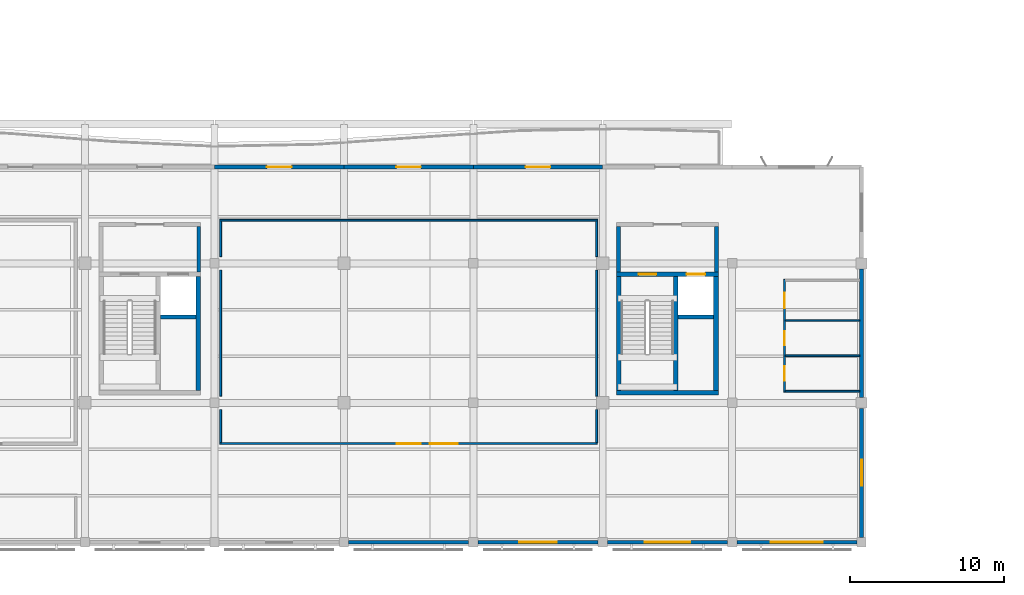
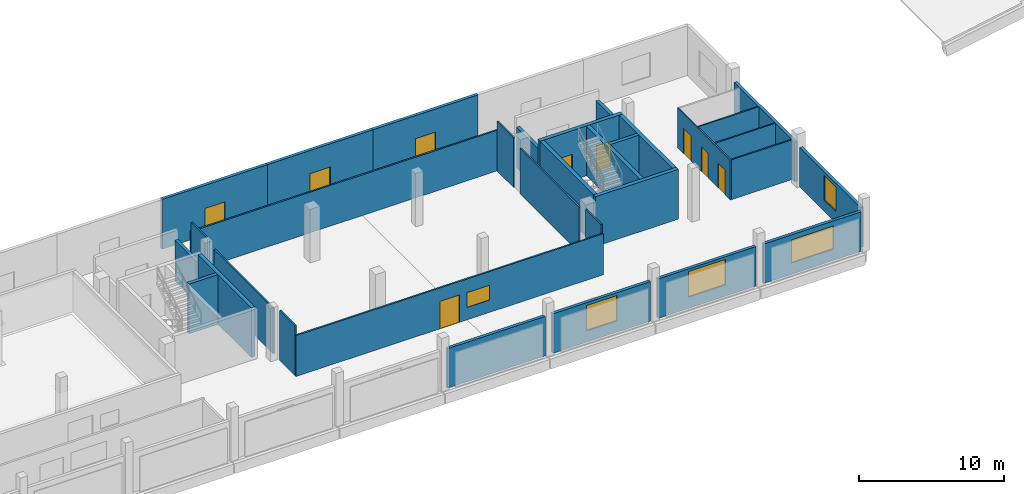
# One storey, part 15 of 34: 32 walls, 9 doors, 5 windows, 14 openings.
"""IFC4 building model written with IfcOpenShell, lengths in metres."""

from ifc_helpers import new_model, si_unit, direction, frame, frame_2d, origin, place, context, subcontext, project, spatial, rectangle, extrude, material, layer, layer_set, type_object, element, fill, save


model = new_model("IFC4")

# Units and contexts
model_context = context("Model", 3, precision=1e-05, world=origin(), true_north=direction((0.0, 1.0)))
body_context = subcontext(model_context, "Body", "Model", "MODEL_VIEW")
ifc_project = project(units=[si_unit("LENGTHUNIT", "METRE"), si_unit("AREAUNIT", "SQUARE_METRE"), si_unit("VOLUMEUNIT", "CUBIC_METRE"), si_unit("PLANEANGLEUNIT", "RADIAN"), si_unit("MASSUNIT", "GRAM", prefix="KILO")], contexts=[model_context])

# Site, building, storey
site_placement = place(None, origin())
site = spatial("IfcSite", under=ifc_project, at=site_placement, CompositionType="ELEMENT")
building_placement = place(site_placement, origin())
building = spatial("IfcBuilding", under=site, at=building_placement, Name="Khurvash Pelagic Aquarium", CompositionType="ELEMENT")
storey_placement = place(building_placement, frame((0.0, 0.0, 15.60009765625)))
storey = spatial("IfcBuildingStorey", under=building, at=storey_placement, Name="L03", CompositionType="ELEMENT", Elevation=15.60009765625)

# Wall
ifc_material_1 = material(Name="Glass-fibre reinforced concrete C40/50", Category="concrete")
ifc_layer_1 = layer(ifc_material_1, 0.239990234375)
ifc_layer_set_1 = layer_set([ifc_layer_1], Name="Glass-fibre reinforced concrete C40/50")
wall_type_1 = type_object("IfcWallType", Name="EW-240", PredefinedType="STANDARD", material=ifc_layer_set_1)
wall_1_placement = place(storey_placement, frame((75.905029296875, 2.60009765625, 0.0), z_axis=(0.0, 0.0, 1.0), x_axis=(1.0, 0.0, 0.0)))
element("IfcWall", 1, at=wall_1_placement, inside=storey, type_object=wall_type_1, Name="L03 Exterior Architectural Facade Wall EW-240 0113", PredefinedType="STANDARD", context=body_context, shape_type="SweptSolid", body=[
    extrude(rectangle(XDim=7.7900390625, YDim=0.239990234375, at=frame_2d((3.89501953125, 0.0))), origin(), (0.0, 0.0, 1.0), 3.329833984375),
])

# Wall, opening, window
wall_2_placement = place(storey_placement, frame((84.304931640625, 2.60009765625, 0.0), z_axis=(0.0, 0.0, 1.0), x_axis=(1.0, 0.0, 0.0)))
wall_2 = element("IfcWall", 2, at=wall_2_placement, inside=storey, type_object=wall_type_1, Name="L03 Exterior Architectural Facade Wall EW-240 0114", PredefinedType="STANDARD", context=body_context, shape_type="SweptSolid", body=[
    extrude(rectangle(XDim=7.7900390625, YDim=0.239990234375, at=frame_2d((3.89501953125, 0.0))), origin(), (0.0, 0.0, 1.0), 3.329833984375),
])
opening_1_placement = place(wall_2_placement, frame((2.6650390625, 0.0, 0.949951171875)))
opening_1 = element("IfcOpeningElement", 3, at=opening_1_placement, cuts=wall_2, Name="Opening WN-38", PredefinedType="OPENING", context=body_context, shape_type="SweptSolid", body=[
    extrude(rectangle(XDim=2.4599609375, YDim=2.139892578125, at=frame_2d((1.22998046875, 1.06982421875))), frame((0.0, 0.1298828125, 0.0), z_axis=(0.0, -1.0, 0.0), x_axis=(1.0, 0.0, 0.0)), (0.0, 0.0, 1.0), 0.260009765625),
])
ifc_material_2 = material(Name="Thermally broken aluminium and low-E glass", Category="aluminium")
window_type_1 = type_object("IfcWindowType", Name="WN-38", PartitioningType="SINGLE_PANEL", PredefinedType="WINDOW", material=ifc_material_2)
window_1_placement = place(opening_1_placement, origin())
window_1 = element("IfcWindow", 4, at=window_1_placement, inside=storey, type_object=window_type_1, Name="L03 Facade Window WN-38 0074", OverallHeight=2.139892578125, OverallWidth=2.4599609375, PartitioningType="SINGLE_PANEL", PredefinedType="WINDOW", context=body_context, shape_type="SweptSolid", body=[
    extrude(rectangle(XDim=2.4599609375, YDim=2.139892578125, at=frame_2d((1.22998046875, 1.06982421875))), frame((0.0, 0.030029296875, 0.0), z_axis=(0.0, -1.0, 0.0), x_axis=(1.0, 0.0, 0.0)), (0.0, 0.0, 1.0), 0.06005859375),
])
fill(opening_1, window_1)

wall_3_placement = place(storey_placement, frame((92.705078125, 2.60009765625, 0.0), z_axis=(0.0, 0.0, 1.0), x_axis=(1.0, 0.0, 0.0)))
wall_3 = element("IfcWall", 5, at=wall_3_placement, inside=storey, type_object=wall_type_1, Name="L03 Exterior Architectural Facade Wall EW-240 0115", PredefinedType="STANDARD", context=body_context, shape_type="SweptSolid", body=[
    extrude(rectangle(XDim=7.7900390625, YDim=0.239990234375, at=frame_2d((3.89501953125, 0.0))), origin(), (0.0, 0.0, 1.0), 3.329833984375),
])
opening_2_placement = place(wall_3_placement, frame((2.4150390625, 0.0, 0.949951171875)))
opening_2 = element("IfcOpeningElement", 6, at=opening_2_placement, cuts=wall_3, Name="Opening WN-40", PredefinedType="OPENING", context=body_context, shape_type="SweptSolid", body=[
    extrude(rectangle(XDim=2.9599609375, YDim=2.159912109375, at=frame_2d((1.47998046875, 1.080078125))), frame((0.0, 0.1298828125, 0.0), z_axis=(0.0, -1.0, 0.0), x_axis=(1.0, 0.0, 0.0)), (0.0, 0.0, 1.0), 0.260009765625),
])
window_type_2 = type_object("IfcWindowType", Name="WN-40", PartitioningType="SINGLE_PANEL", PredefinedType="WINDOW", material=ifc_material_2)
window_2_placement = place(opening_2_placement, origin())
window_2 = element("IfcWindow", 7, at=window_2_placement, inside=storey, type_object=window_type_2, Name="L03 Facade Window WN-40 0075", OverallHeight=2.159912109375, OverallWidth=2.9599609375, PartitioningType="SINGLE_PANEL", PredefinedType="WINDOW", context=body_context, shape_type="SweptSolid", body=[
    extrude(rectangle(XDim=2.9599609375, YDim=2.159912109375, at=frame_2d((1.47998046875, 1.080078125))), frame((0.0, 0.030029296875, 0.0), z_axis=(0.0, -1.0, 0.0), x_axis=(1.0, 0.0, 0.0)), (0.0, 0.0, 1.0), 0.06005859375),
])
fill(opening_2, window_2)

wall_4_placement = place(storey_placement, frame((101.10498046875, 2.60009765625, 0.0), z_axis=(0.0, 0.0, 1.0), x_axis=(1.0, 0.0, 0.0)))
wall_4 = element("IfcWall", 8, at=wall_4_placement, inside=storey, type_object=wall_type_1, Name="L03 Exterior Architectural Facade Wall EW-240 0116", PredefinedType="STANDARD", context=body_context, shape_type="SweptSolid", body=[
    extrude(rectangle(XDim=7.7900390625, YDim=0.239990234375, at=frame_2d((3.89501953125, 0.0))), origin(), (0.0, 0.0, 1.0), 3.329833984375),
])
opening_3_placement = place(wall_4_placement, frame((2.215087890625, 0.0, 0.949951171875)))
opening_3 = element("IfcOpeningElement", 9, at=opening_3_placement, cuts=wall_4, Name="Opening WN-42", PredefinedType="OPENING", context=body_context, shape_type="SweptSolid", body=[
    extrude(rectangle(XDim=3.360107421875, YDim=1.9599609375, at=frame_2d((1.68017578125, 0.97998046875))), frame((0.0, 0.1298828125, 0.0), z_axis=(0.0, -1.0, 0.0), x_axis=(1.0, 0.0, 0.0)), (0.0, 0.0, 1.0), 0.260009765625),
])
window_type_3 = type_object("IfcWindowType", Name="WN-42", PartitioningType="SINGLE_PANEL", PredefinedType="WINDOW", material=ifc_material_2)
window_3_placement = place(opening_3_placement, origin())
window_3 = element("IfcWindow", 10, at=window_3_placement, inside=storey, type_object=window_type_3, Name="L03 Facade Window WN-42 0076", OverallHeight=1.9599609375, OverallWidth=3.360107421875, PartitioningType="SINGLE_PANEL", PredefinedType="WINDOW", context=body_context, shape_type="SweptSolid", body=[
    extrude(rectangle(XDim=3.360107421875, YDim=1.9599609375, at=frame_2d((1.68017578125, 0.97998046875))), frame((0.0, 0.030029296875, 0.0), z_axis=(0.0, -1.0, 0.0), x_axis=(1.0, 0.0, 0.0)), (0.0, 0.0, 1.0), 0.06005859375),
])
fill(opening_3, window_3)

wall_5_placement = place(storey_placement, frame((109.199951171875, 2.905029296875, 0.0), z_axis=(0.0, 0.0, 1.0), x_axis=(0.0, 1.0, 0.0)))
wall_5 = element("IfcWall", 11, at=wall_5_placement, inside=storey, type_object=wall_type_1, Name="L03 Exterior Architectural Facade Wall EW-240 0117", PredefinedType="STANDARD", context=body_context, shape_type="SweptSolid", body=[
    extrude(rectangle(XDim=8.389892578125, YDim=0.239990234375, at=frame_2d((4.19482421875, 0.0))), origin(), (0.0, 0.0, 1.0), 3.349853515625),
])
opening_4_placement = place(wall_5_placement, frame((3.35498046875, 0.0, 0.949951171875)))
opening_4 = element("IfcOpeningElement", 12, at=opening_4_placement, cuts=wall_5, Name="Opening WN-34", PredefinedType="OPENING", context=body_context, shape_type="SweptSolid", body=[
    extrude(rectangle(XDim=1.679931640625, YDim=2.080078125, at=frame_2d((0.83984375, 1.0400390625))), frame((0.0, 0.1298828125, 0.0), z_axis=(0.0, -1.0, 0.0), x_axis=(1.0, 0.0, 0.0)), (0.0, 0.0, 1.0), 0.260009765625),
])
window_type_4 = type_object("IfcWindowType", Name="WN-34", PartitioningType="SINGLE_PANEL", PredefinedType="WINDOW", material=ifc_material_2)
window_4_placement = place(opening_4_placement, origin())
window_4 = element("IfcWindow", 13, at=window_4_placement, inside=storey, type_object=window_type_4, Name="L03 Facade Window WN-34 0077", OverallHeight=2.080078125, OverallWidth=1.679931640625, PartitioningType="SINGLE_PANEL", PredefinedType="WINDOW", context=body_context, shape_type="SweptSolid", body=[
    extrude(rectangle(XDim=1.679931640625, YDim=2.080078125, at=frame_2d((0.83984375, 1.0400390625))), frame((0.0, 0.030029296875, 0.0), z_axis=(0.0, -1.0, 0.0), x_axis=(1.0, 0.0, 0.0)), (0.0, 0.0, 1.0), 0.06005859375),
])
fill(opening_4, window_4)

# Wall
wall_6_placement = place(storey_placement, frame((109.199951171875, 12.0048828125, 0.0), z_axis=(0.0, 0.0, 1.0), x_axis=(0.0, 1.0, 0.0)))
element("IfcWall", 14, at=wall_6_placement, inside=storey, type_object=wall_type_1, Name="L03 Exterior Architectural Facade Wall EW-240 0118", PredefinedType="STANDARD", context=body_context, shape_type="SweptSolid", body=[
    extrude(rectangle(XDim=8.340087890625, YDim=0.239990234375, at=frame_2d((4.169921875, 0.0))), origin(), (0.0, 0.0, 1.0), 3.349853515625),
])

# Wall, opening, door
wall_7_placement = place(storey_placement, frame((92.39990234375, 26.949951171875, 0.0), z_axis=(0.0, 0.0, 1.0), x_axis=(-1.0, 0.0, 0.0)))
wall_7 = element("IfcWall", 15, at=wall_7_placement, inside=storey, type_object=wall_type_1, Name="L03 Exterior Architectural Facade Wall EW-240 0122", PredefinedType="STANDARD", context=body_context, shape_type="SweptSolid", body=[
    extrude(rectangle(XDim=8.39990234375, YDim=0.239990234375, at=frame_2d((4.199951171875, 0.0))), origin(), (0.0, 0.0, 1.0), 4.199951171875),
])
opening_5_placement = place(wall_7_placement, frame((3.39990234375, 0.0, 0.0)))
opening_5 = element("IfcOpeningElement", 16, at=opening_5_placement, cuts=wall_7, Name="Opening ED-03", PredefinedType="OPENING", context=body_context, shape_type="SweptSolid", body=[
    extrude(rectangle(XDim=1.60009765625, YDim=2.25, at=frame_2d((0.800048828125, 1.125))), frame((0.0, 0.1298828125, 0.0), z_axis=(0.0, -1.0, 0.0), x_axis=(1.0, 0.0, 0.0)), (0.0, 0.0, 1.0), 0.260009765625),
])
ifc_material_3 = material(Name="Thermally broken glazed aluminium", Category="aluminium")
door_type_1 = type_object("IfcDoorType", Name="ED-03", OperationType="DOUBLE_DOOR_SINGLE_SWING", PredefinedType="DOOR", material=ifc_material_3)
door_1_placement = place(opening_5_placement, frame((1.60009765625, 0.0, 0.0), z_axis=(0.0, 0.0, 1.0), x_axis=(-1.0, 0.0, 0.0)))
door_1 = element("IfcDoor", 17, at=door_1_placement, inside=storey, type_object=door_type_1, Name="DR-0185", OperationType="DOUBLE_DOOR_SINGLE_SWING", OverallHeight=2.25, OverallWidth=1.60009765625, PredefinedType="DOOR", context=body_context, shape_type="SweptSolid", body=[
    extrude(rectangle(XDim=1.60009765625, YDim=2.25, at=frame_2d((0.800048828125, 1.125))), frame((0.0, 0.02490234375, 0.0), z_axis=(0.0, -1.0, 0.0), x_axis=(1.0, 0.0, 0.0)), (0.0, 0.0, 1.0), 0.050048828125),
])
fill(opening_5, door_1)

wall_8_placement = place(storey_placement, frame((84.0, 26.949951171875, 0.0), z_axis=(0.0, 0.0, 1.0), x_axis=(-1.0, 0.0, 0.0)))
wall_8 = element("IfcWall", 18, at=wall_8_placement, inside=storey, type_object=wall_type_1, Name="L03 Exterior Architectural Facade Wall EW-240 0123", PredefinedType="STANDARD", context=body_context, shape_type="SweptSolid", body=[
    extrude(rectangle(XDim=8.39990234375, YDim=0.239990234375, at=frame_2d((4.199951171875, 0.0))), origin(), (0.0, 0.0, 1.0), 4.199951171875),
])
opening_6_placement = place(wall_8_placement, frame((3.39990234375, 0.0, 0.0)))
opening_6 = element("IfcOpeningElement", 19, at=opening_6_placement, cuts=wall_8, Name="Opening ED-03", PredefinedType="OPENING", context=body_context, shape_type="SweptSolid", body=[
    extrude(rectangle(XDim=1.60009765625, YDim=2.25, at=frame_2d((0.800048828125, 1.125))), frame((0.0, 0.1298828125, 0.0), z_axis=(0.0, -1.0, 0.0), x_axis=(1.0, 0.0, 0.0)), (0.0, 0.0, 1.0), 0.260009765625),
])
door_2_placement = place(opening_6_placement, frame((1.60009765625, 0.0, 0.0), z_axis=(0.0, 0.0, 1.0), x_axis=(-1.0, 0.0, 0.0)))
door_2 = element("IfcDoor", 20, at=door_2_placement, inside=storey, type_object=door_type_1, Name="DR-0186", OperationType="DOUBLE_DOOR_SINGLE_SWING", OverallHeight=2.25, OverallWidth=1.60009765625, PredefinedType="DOOR", context=body_context, shape_type="SweptSolid", body=[
    extrude(rectangle(XDim=1.60009765625, YDim=2.25, at=frame_2d((0.800048828125, 1.125))), frame((0.0, 0.02490234375, 0.0), z_axis=(0.0, -1.0, 0.0), x_axis=(1.0, 0.0, 0.0)), (0.0, 0.0, 1.0), 0.050048828125),
])
fill(opening_6, door_2)

wall_9_placement = place(storey_placement, frame((75.60009765625, 26.949951171875, 0.0), z_axis=(0.0, 0.0, 1.0), x_axis=(-1.0, 0.0, 0.0)))
wall_9 = element("IfcWall", 21, at=wall_9_placement, inside=storey, type_object=wall_type_1, Name="L03 Exterior Architectural Facade Wall EW-240 0124", PredefinedType="STANDARD", context=body_context, shape_type="SweptSolid", body=[
    extrude(rectangle(XDim=8.400146484375, YDim=0.239990234375, at=frame_2d((4.2001953125, 0.0))), origin(), (0.0, 0.0, 1.0), 4.199951171875),
])
opening_7_placement = place(wall_9_placement, frame((3.39990234375, 0.0, 0.0)))
opening_7 = element("IfcOpeningElement", 22, at=opening_7_placement, cuts=wall_9, Name="Opening ED-03", PredefinedType="OPENING", context=body_context, shape_type="SweptSolid", body=[
    extrude(rectangle(XDim=1.60009765625, YDim=2.25, at=frame_2d((0.800048828125, 1.125))), frame((0.0, 0.1298828125, 0.0), z_axis=(0.0, -1.0, 0.0), x_axis=(1.0, 0.0, 0.0)), (0.0, 0.0, 1.0), 0.260009765625),
])
door_3_placement = place(opening_7_placement, frame((1.60009765625, 0.0, 0.0), z_axis=(0.0, 0.0, 1.0), x_axis=(-1.0, 0.0, 0.0)))
door_3 = element("IfcDoor", 23, at=door_3_placement, inside=storey, type_object=door_type_1, Name="DR-0187", OperationType="DOUBLE_DOOR_SINGLE_SWING", OverallHeight=2.25, OverallWidth=1.60009765625, PredefinedType="DOOR", context=body_context, shape_type="SweptSolid", body=[
    extrude(rectangle(XDim=1.60009765625, YDim=2.25, at=frame_2d((0.800048828125, 1.125))), frame((0.0, 0.02490234375, 0.0), z_axis=(0.0, -1.0, 0.0), x_axis=(1.0, 0.0, 0.0)), (0.0, 0.0, 1.0), 0.050048828125),
])
fill(opening_7, door_3)

# Wall, openings, doors
ifc_material_4 = material(Name="Ceramic-tiled wet-room partition", Category="masonry")
ifc_layer_2 = layer(ifc_material_4, 0.110107421875)
ifc_layer_set_2 = layer_set([ifc_layer_2], Name="Ceramic-tiled wet-room partition")
wall_type_2 = type_object("IfcWallType", Name="PW-110", PredefinedType="PARTITIONING", material=ifc_layer_set_2)
wall_10_placement = place(storey_placement, frame((104.199951171875, 12.344970703125, 0.0), z_axis=(0.0, 0.0, 1.0), x_axis=(0.0, 1.0, 0.0)))
wall_10 = element("IfcWall", 24, at=wall_10_placement, inside=storey, type_object=wall_type_2, Name="L03 Restroom Bank Corridor Wall PW-110", PredefinedType="PARTITIONING", context=body_context, shape_type="SweptSolid", body=[
    extrude(rectangle(XDim=7.31005859375, YDim=0.110107421875, at=frame_2d((3.655029296875, 0.0))), origin(), (0.0, 0.0, 1.0), 3.349853515625),
])
opening_8_placement = place(wall_10_placement, frame((0.7451171875, 0.0, 0.0)))
opening_8 = element("IfcOpeningElement", 25, at=opening_8_placement, cuts=wall_10, Name="Opening ID-01", PredefinedType="OPENING", context=body_context, shape_type="SweptSolid", body=[
    extrude(rectangle(XDim=0.919921875, YDim=2.10009765625, at=frame_2d((0.4599609375, 1.050048828125))), frame((0.0, 0.06494140625, 0.0), z_axis=(0.0, -1.0, 0.0), x_axis=(1.0, 0.0, 0.0)), (0.0, 0.0, 1.0), 0.130126953125),
])
opening_9_placement = place(wall_10_placement, frame((3.044921875, 0.0, 0.0)))
opening_9 = element("IfcOpeningElement", 26, at=opening_9_placement, cuts=wall_10, Name="Opening ID-01", PredefinedType="OPENING", context=body_context, shape_type="SweptSolid", body=[
    extrude(rectangle(XDim=0.919921875, YDim=2.10009765625, at=frame_2d((0.4599609375, 1.050048828125))), frame((0.0, 0.06494140625, 0.0), z_axis=(0.0, -1.0, 0.0), x_axis=(1.0, 0.0, 0.0)), (0.0, 0.0, 1.0), 0.130126953125),
])
opening_10_placement = place(wall_10_placement, frame((5.455078125, 0.0, 0.0)))
opening_10 = element("IfcOpeningElement", 27, at=opening_10_placement, cuts=wall_10, Name="Opening ID-02", PredefinedType="OPENING", context=body_context, shape_type="SweptSolid", body=[
    extrude(rectangle(XDim=1.0, YDim=2.14990234375, at=frame_2d((0.5, 1.074951171875))), frame((0.0, 0.06494140625, 0.0), z_axis=(0.0, -1.0, 0.0), x_axis=(1.0, 0.0, 0.0)), (0.0, 0.0, 1.0), 0.130126953125),
])
ifc_material_5 = material(Name="High-pressure laminate solid-core timber", Category="wood")
door_type_2 = type_object("IfcDoorType", Name="ID-01", OperationType="NOTDEFINED", PredefinedType="DOOR", material=ifc_material_5)
door_4_placement = place(opening_8_placement, origin())
door_4 = element("IfcDoor", 28, at=door_4_placement, inside=storey, type_object=door_type_2, Name="DR-0195", OperationType="SINGLE_SWING_LEFT", OverallHeight=2.10009765625, OverallWidth=0.919921875, PredefinedType="DOOR", context=body_context, shape_type="SweptSolid", body=[
    extrude(rectangle(XDim=0.919921875, YDim=2.10009765625, at=frame_2d((0.4599609375, 1.050048828125))), frame((0.0, 0.02490234375, 0.0), z_axis=(0.0, -1.0, 0.0), x_axis=(1.0, 0.0, 0.0)), (0.0, 0.0, 1.0), 0.050048828125),
])
fill(opening_8, door_4)
door_5_placement = place(opening_9_placement, origin())
door_5 = element("IfcDoor", 29, at=door_5_placement, inside=storey, type_object=door_type_2, Name="DR-0196", OperationType="SINGLE_SWING_RIGHT", OverallHeight=2.10009765625, OverallWidth=0.919921875, PredefinedType="DOOR", context=body_context, shape_type="SweptSolid", body=[
    extrude(rectangle(XDim=0.919921875, YDim=2.10009765625, at=frame_2d((0.4599609375, 1.050048828125))), frame((0.0, 0.02490234375, 0.0), z_axis=(0.0, -1.0, 0.0), x_axis=(1.0, 0.0, 0.0)), (0.0, 0.0, 1.0), 0.050048828125),
])
fill(opening_9, door_5)
door_type_3 = type_object("IfcDoorType", Name="ID-02", OperationType="NOTDEFINED", PredefinedType="DOOR", material=ifc_material_5)
door_6_placement = place(opening_10_placement, origin())
door_6 = element("IfcDoor", 30, at=door_6_placement, inside=storey, type_object=door_type_3, Name="DR-0197", OperationType="SINGLE_SWING_LEFT", OverallHeight=2.14990234375, OverallWidth=1.0, PredefinedType="DOOR", context=body_context, shape_type="SweptSolid", body=[
    extrude(rectangle(XDim=1.0, YDim=2.14990234375, at=frame_2d((0.5, 1.074951171875))), frame((0.0, 0.02490234375, 0.0), z_axis=(0.0, -1.0, 0.0), x_axis=(1.0, 0.0, 0.0)), (0.0, 0.0, 1.0), 0.050048828125),
])
fill(opening_10, door_6)

# Walls
for number, where, z_axis, x_axis, name in (
    (31, (104.2548828125, 12.39990234375, 0.0), (0.0, 0.0, 1.0), (1.0, 0.0, 0.0), "L03 Restroom Divider Partition PW-110"),
    (32, (104.2548828125, 14.699951171875, 0.0), (0.0, 0.0, 1.0), (1.0, 0.0, 0.0), "L03 Restroom Divider Partition PW-110"),
    (33, (104.2548828125, 17.0, 0.0), (0.0, 0.0, 1.0), (1.0, 0.0, 0.0), "L03 Restroom Divider Partition PW-110"),
):
    element("IfcWall", number, at=place(storey_placement, frame(where, z_axis=z_axis, x_axis=x_axis)), inside=storey, type_object=wall_type_2, Name=name, PredefinedType="PARTITIONING", context=body_context, shape_type="SweptSolid", body=[
        extrude(rectangle(XDim=4.8251953125, YDim=0.110107421875, at=frame_2d((2.41259765625, 0.0))), origin(), (0.0, 0.0, 1.0), 3.349853515625),
    ])

# Wall, openings, door, window
ifc_material_6 = material(Name="Moisture-resistant gypsum and steel stud", Category="steel")
ifc_layer_3 = layer(ifc_material_6, 0.125)
ifc_layer_set_3 = layer_set([ifc_layer_3], Name="Moisture-resistant gypsum and steel stud")
wall_type_3 = type_object("IfcWallType", Name="PW-125", PredefinedType="PARTITIONING", material=ifc_layer_set_3)
wall_11_placement = place(storey_placement, frame((67.537109375, 9.0, 0.0), z_axis=(0.0, 0.0, 1.0), x_axis=(1.0, 0.0, 0.0)))
wall_11 = element("IfcWall", 34, at=wall_11_placement, inside=storey, type_object=wall_type_3, Name="L03 Bathypelagic Comb-Jelly Gallery Partition Wall PW-125", PredefinedType="PARTITIONING", context=body_context, shape_type="SweptSolid", body=[
    extrude(rectangle(XDim=24.52490234375, YDim=0.125, at=frame_2d((12.262451171875, 0.0))), origin(), (0.0, 0.0, 1.0), 3.449951171875),
])
opening_11_placement = place(wall_11_placement, frame((11.48193359375, 0.0, 0.0)))
opening_11 = element("IfcOpeningElement", 35, at=opening_11_placement, cuts=wall_11, Name="Opening ID-44", PredefinedType="OPENING", context=body_context, shape_type="SweptSolid", body=[
    extrude(rectangle(XDim=1.56005859375, YDim=2.320068359375, at=frame_2d((0.780029296875, 1.16015625))), frame((0.0, 0.072509765625, 0.0), z_axis=(0.0, -1.0, 0.0), x_axis=(1.0, 0.0, 0.0)), (0.0, 0.0, 1.0), 0.14501953125),
])
opening_12_placement = place(wall_11_placement, frame((13.64208984375, 0.0, 1.0498046875)))
opening_12 = element("IfcOpeningElement", 36, at=opening_12_placement, cuts=wall_11, Name="Opening IW-02", PredefinedType="OPENING", context=body_context, shape_type="SweptSolid", body=[
    extrude(rectangle(XDim=1.800048828125, YDim=1.25, at=frame_2d((0.89990234375, 0.625))), frame((0.0, 0.072509765625, 0.0), z_axis=(0.0, -1.0, 0.0), x_axis=(1.0, 0.0, 0.0)), (0.0, 0.0, 1.0), 0.14501953125),
])
ifc_material_7 = material(Name="Seminar foyer double door", Category="wood")
door_type_4 = type_object("IfcDoorType", Name="ID-44", OperationType="DOUBLE_DOOR_SINGLE_SWING", PredefinedType="DOOR", material=ifc_material_7)
door_7_placement = place(opening_11_placement, origin())
door_7 = element("IfcDoor", 37, at=door_7_placement, inside=storey, type_object=door_type_4, Name="DR-0200", OperationType="DOUBLE_DOOR_SINGLE_SWING", OverallHeight=2.320068359375, OverallWidth=1.56005859375, PredefinedType="DOOR", context=body_context, shape_type="SweptSolid", body=[
    extrude(rectangle(XDim=1.56005859375, YDim=2.320068359375, at=frame_2d((0.780029296875, 1.16015625))), frame((0.0, 0.02490234375, 0.0), z_axis=(0.0, -1.0, 0.0), x_axis=(1.0, 0.0, 0.0)), (0.0, 0.0, 1.0), 0.050048828125),
])
fill(opening_11, door_7)
ifc_material_8 = material(Name="Acoustic laminated interior observation glazing", Category="glass")
window_type_5 = type_object("IfcWindowType", Name="IW-02", PartitioningType="SINGLE_PANEL", PredefinedType="WINDOW", material=ifc_material_8)
window_5_placement = place(opening_12_placement, origin())
window_5 = element("IfcWindow", 38, at=window_5_placement, inside=storey, type_object=window_type_5, Name="L03 Bathypelagic Comb-Jelly Gallery Observation Window IW-02", OverallHeight=1.25, OverallWidth=1.800048828125, PartitioningType="SINGLE_PANEL", PredefinedType="WINDOW", context=body_context, shape_type="SweptSolid", body=[
    extrude(rectangle(XDim=1.800048828125, YDim=1.25, at=frame_2d((0.89990234375, 0.625))), frame((0.0, 0.030029296875, 0.0), z_axis=(0.0, -1.0, 0.0), x_axis=(1.0, 0.0, 0.0)), (0.0, 0.0, 1.0), 0.06005859375),
])
fill(opening_12, window_5)

# Walls
wall_12_placement = place(storey_placement, frame((67.537109375, 23.5, 0.0), z_axis=(0.0, 0.0, 1.0), x_axis=(1.0, 0.0, 0.0)))
element("IfcWall", 39, at=wall_12_placement, inside=storey, type_object=wall_type_3, Name="L03 Bathypelagic Comb-Jelly Gallery Partition Wall PW-125", PredefinedType="PARTITIONING", context=body_context, shape_type="SweptSolid", body=[
    extrude(rectangle(XDim=24.52490234375, YDim=0.125, at=frame_2d((12.262451171875, 0.0))), origin(), (0.0, 0.0, 1.0), 3.429931640625),
])
wall_13_placement = place(storey_placement, frame((92.0, 9.06201171875, 0.0), z_axis=(0.0, 0.0, 1.0), x_axis=(0.0, 1.0, 0.0)))
element("IfcWall", 40, at=wall_13_placement, inside=storey, type_object=wall_type_3, Name="L03 Bathypelagic Comb-Jelly Gallery Partition Wall PW-125", PredefinedType="PARTITIONING", context=body_context, shape_type="SweptSolid", body=[
    extrude(rectangle(XDim=2.14794921875, YDim=0.125, at=frame_2d((1.073974609375, 0.0))), origin(), (0.0, 0.0, 1.0), 4.199951171875),
])
wall_14_placement = place(storey_placement, frame((92.0, 12.090087890625, 0.0), z_axis=(0.0, 0.0, 1.0), x_axis=(0.0, 1.0, 0.0)))
element("IfcWall", 41, at=wall_14_placement, inside=storey, type_object=wall_type_3, Name="L03 Bathypelagic Comb-Jelly Gallery Partition Wall PW-125", PredefinedType="PARTITIONING", context=body_context, shape_type="SweptSolid", body=[
    extrude(rectangle(XDim=8.169921875, YDim=0.125, at=frame_2d((4.0849609375, 0.0))), origin(), (0.0, 0.0, 1.0), 3.83984375),
])
wall_15_placement = place(storey_placement, frame((92.0, 21.139892578125, 0.0), z_axis=(0.0, 0.0, 1.0), x_axis=(0.0, 1.0, 0.0)))
element("IfcWall", 42, at=wall_15_placement, inside=storey, type_object=wall_type_3, Name="L03 Bathypelagic Comb-Jelly Gallery Partition Wall PW-125", PredefinedType="PARTITIONING", context=body_context, shape_type="SweptSolid", body=[
    extrude(rectangle(XDim=2.298095703125, YDim=0.125, at=frame_2d((1.14892578125, 0.0))), origin(), (0.0, 0.0, 1.0), 4.199951171875),
])
wall_16_placement = place(storey_placement, frame((67.60009765625, 9.06201171875, 0.0), z_axis=(0.0, 0.0, 1.0), x_axis=(0.0, 1.0, 0.0)))
element("IfcWall", 43, at=wall_16_placement, inside=storey, type_object=wall_type_3, Name="L03 Bathypelagic Comb-Jelly Gallery Partition Wall PW-125", PredefinedType="PARTITIONING", context=body_context, shape_type="SweptSolid", body=[
    extrude(rectangle(XDim=2.14794921875, YDim=0.125, at=frame_2d((1.073974609375, 0.0))), origin(), (0.0, 0.0, 1.0), 4.199951171875),
])
wall_17_placement = place(storey_placement, frame((67.60009765625, 12.090087890625, 0.0), z_axis=(0.0, 0.0, 1.0), x_axis=(0.0, 1.0, 0.0)))
element("IfcWall", 44, at=wall_17_placement, inside=storey, type_object=wall_type_3, Name="L03 Bathypelagic Comb-Jelly Gallery Partition Wall PW-125", PredefinedType="PARTITIONING", context=body_context, shape_type="SweptSolid", body=[
    extrude(rectangle(XDim=8.169921875, YDim=0.125, at=frame_2d((4.0849609375, 0.0))), origin(), (0.0, 0.0, 1.0), 3.83984375),
])
wall_18_placement = place(storey_placement, frame((67.60009765625, 21.139892578125, 0.0), z_axis=(0.0, 0.0, 1.0), x_axis=(0.0, 1.0, 0.0)))
element("IfcWall", 45, at=wall_18_placement, inside=storey, type_object=wall_type_3, Name="L03 Bathypelagic Comb-Jelly Gallery Partition Wall PW-125", PredefinedType="PARTITIONING", context=body_context, shape_type="SweptSolid", body=[
    extrude(rectangle(XDim=2.298095703125, YDim=0.125, at=frame_2d((1.14892578125, 0.0))), origin(), (0.0, 0.0, 1.0), 4.199951171875),
])
ifc_material_9 = material(Name="AAC blockwork", Category="masonry")
ifc_layer_4 = layer(ifc_material_9, 0.25)
ifc_layer_set_4 = layer_set([ifc_layer_4], Name="AAC blockwork")
wall_type_4 = type_object("IfcWallType", Name="PW-250", PredefinedType="PARTITIONING", material=ifc_layer_set_4)
for number, where, z_axis, x_axis, name in (
    (46, (66.175048828125, 20.14990234375, 0.0), (0.0, 0.0, 1.0), (0.0, 1.0, 0.0), "L03 Core C2 Lobby East Fire Wall PW-250"),
    (47, (93.425048828125, 20.14990234375, 0.0), (0.0, 0.0, 1.0), (0.0, 1.0, 0.0), "L03 Core C3 Lobby West Fire Wall PW-250"),
    (48, (99.77490234375, 20.14990234375, 0.0), (0.0, 0.0, 1.0), (0.0, 1.0, 0.0), "L03 Core C3 Lobby East Fire Wall PW-250"),
):
    element("IfcWall", number, at=place(storey_placement, frame(where, z_axis=z_axis, x_axis=x_axis)), inside=storey, type_object=wall_type_4, Name=name, PredefinedType="PARTITIONING", context=body_context, shape_type="SweptSolid", body=[
        extrude(rectangle(XDim=2.9501953125, YDim=0.25, at=frame_2d((1.47509765625, 0.0))), origin(), (0.0, 0.0, 1.0), 3.429931640625),
    ])
ifc_material_10 = material(Name="Concrete C40/50", Category="concrete")
ifc_layer_5 = layer(ifc_material_10, 0.27490234375)
ifc_layer_set_5 = layer_set([ifc_layer_5], Name="Concrete C40/50")
wall_type_5 = type_object("IfcWallType", Name="SW-275", PredefinedType="SHEAR", material=ifc_layer_set_5)
for number, where, z_axis, x_axis, name in (
    (49, (63.699951171875, 17.212890625, 0.0), (0.0, 0.0, 1.0), (1.0, 0.0, 0.0), "L03 Lift PL-01 Shaft Rear Shear Wall SW-275"),
    (50, (97.300048828125, 17.212890625, 0.0), (0.0, 0.0, 1.0), (1.0, 0.0, 0.0), "L03 Lift FL-02 Shaft Rear Shear Wall SW-275"),
):
    element("IfcWall", number, at=place(storey_placement, frame(where, z_axis=z_axis, x_axis=x_axis)), inside=storey, type_object=wall_type_5, Name=name, PredefinedType="SHEAR", context=body_context, shape_type="SweptSolid", body=[
        extrude(rectangle(XDim=2.300048828125, YDim=0.27490234375, at=frame_2d((1.14990234375, 0.0))), origin(), (0.0, 0.0, 1.0), 4.199951171875),
    ])
ifc_layer_6 = layer(ifc_material_10, 0.300048828125)
ifc_layer_set_6 = layer_set([ifc_layer_6], Name="Concrete C40/50")
wall_type_6 = type_object("IfcWallType", Name="SW-300", PredefinedType="SHEAR", material=ifc_layer_set_6)
wall_19_placement = place(storey_placement, frame((66.14990234375, 12.449951171875, 0.0), z_axis=(0.0, 0.0, 1.0), x_axis=(0.0, 1.0, 0.0)))
element("IfcWall", 51, at=wall_19_placement, inside=storey, type_object=wall_type_6, Name="L03 Core C2 East Shear Wall SW-300", PredefinedType="SHEAR", context=body_context, shape_type="SweptSolid", body=[
    extrude(rectangle(XDim=7.400146484375, YDim=0.300048828125, at=frame_2d((3.7001953125, 0.0))), origin(), (0.0, 0.0, 1.0), 4.199951171875),
])
wall_20_placement = place(storey_placement, frame((93.300048828125, 12.300048828125, 0.0), z_axis=(0.0, 0.0, 1.0), x_axis=(1.0, 0.0, 0.0)))
element("IfcWall", 52, at=wall_20_placement, inside=storey, type_object=wall_type_6, Name="L03 Core C3 South Shear Wall SW-300", PredefinedType="SHEAR", context=body_context, shape_type="SweptSolid", body=[
    extrude(rectangle(XDim=6.599853515625, YDim=0.300048828125, at=frame_2d((3.2998046875, 0.0))), origin(), (0.0, 0.0, 1.0), 4.199951171875),
])

# Wall, openings, doors
wall_21_placement = place(storey_placement, frame((93.300048828125, 20.0, 0.0), z_axis=(0.0, 0.0, 1.0), x_axis=(1.0, 0.0, 0.0)))
wall_21 = element("IfcWall", 53, at=wall_21_placement, inside=storey, type_object=wall_type_6, Name="L03 Core C3 North Shear Wall SW-300", PredefinedType="SHEAR", context=body_context, shape_type="SweptSolid", body=[
    extrude(rectangle(XDim=6.599853515625, YDim=0.300048828125, at=frame_2d((3.2998046875, 0.0))), origin(), (0.0, 0.0, 1.0), 4.199951171875),
])
opening_13_placement = place(wall_21_placement, frame((1.425048828125, 0.0, 0.0)))
opening_13 = element("IfcOpeningElement", 54, at=opening_13_placement, cuts=wall_21, Name="Opening FD-01", PredefinedType="OPENING", context=body_context, shape_type="SweptSolid", body=[
    extrude(rectangle(XDim=1.14990234375, YDim=2.199951171875, at=frame_2d((0.574951171875, 1.10009765625))), frame((0.0, 0.16015625, 0.0), z_axis=(0.0, -1.0, 0.0), x_axis=(1.0, 0.0, 0.0)), (0.0, 0.0, 1.0), 0.320068359375),
])
opening_14_placement = place(wall_21_placement, frame((4.550048828125, 0.0, 0.0)))
opening_14 = element("IfcOpeningElement", 55, at=opening_14_placement, cuts=wall_21, Name="Opening LD-01", PredefinedType="OPENING", context=body_context, shape_type="SweptSolid", body=[
    extrude(rectangle(XDim=1.199951171875, YDim=2.14990234375, at=frame_2d((0.60009765625, 1.074951171875))), frame((0.0, 0.16015625, 0.0), z_axis=(0.0, -1.0, 0.0), x_axis=(1.0, 0.0, 0.0)), (0.0, 0.0, 1.0), 0.320068359375),
])
ifc_material_11 = material(Name="Galvanised steel fire door", Category="steel")
door_type_5 = type_object("IfcDoorType", Name="FD-01", OperationType="NOTDEFINED", PredefinedType="DOOR", material=ifc_material_11)
door_8_placement = place(opening_13_placement, frame((1.14990234375, 0.0, 0.0), z_axis=(0.0, 0.0, 1.0), x_axis=(-1.0, 0.0, 0.0)))
door_8 = element("IfcDoor", 56, at=door_8_placement, inside=storey, type_object=door_type_5, Name="DR-0174", OperationType="SINGLE_SWING_LEFT", OverallHeight=2.199951171875, OverallWidth=1.14990234375, PredefinedType="DOOR", context=body_context, shape_type="SweptSolid", body=[
    extrude(rectangle(XDim=1.14990234375, YDim=2.199951171875, at=frame_2d((0.574951171875, 1.10009765625))), frame((0.0, 0.02490234375, 0.0), z_axis=(0.0, -1.0, 0.0), x_axis=(1.0, 0.0, 0.0)), (0.0, 0.0, 1.0), 0.050048828125),
])
fill(opening_13, door_8)
ifc_material_12 = material(Name="Brushed stainless steel 316 lift landing door", Category="steel")
door_type_6 = type_object("IfcDoorType", Name="LD-01", OperationType="DOUBLE_DOOR_SLIDING", PredefinedType="DOOR", material=ifc_material_12)
door_9_placement = place(opening_14_placement, origin())
door_9 = element("IfcDoor", 57, at=door_9_placement, inside=storey, type_object=door_type_6, Name="DR-0180", OperationType="DOUBLE_DOOR_SLIDING", OverallHeight=2.14990234375, OverallWidth=1.199951171875, PredefinedType="DOOR", context=body_context, shape_type="SweptSolid", body=[
    extrude(rectangle(XDim=1.199951171875, YDim=2.14990234375, at=frame_2d((0.60009765625, 1.074951171875))), frame((0.0, 0.02490234375, 0.0), z_axis=(0.0, -1.0, 0.0), x_axis=(1.0, 0.0, 0.0)), (0.0, 0.0, 1.0), 0.050048828125),
])
fill(opening_14, door_9)

# Walls
for number, where, z_axis, x_axis, name in (
    (58, (93.449951171875, 12.449951171875, 0.0), (0.0, 0.0, 1.0), (0.0, 1.0, 0.0), "L03 Core C3 West Shear Wall SW-300"),
    (59, (99.75, 12.449951171875, 0.0), (0.0, 0.0, 1.0), (0.0, 1.0, 0.0), "L03 Core C3 East Shear Wall SW-300"),
    (60, (97.14990234375, 12.449951171875, 0.0), (0.0, 0.0, 1.0), (0.0, 1.0, 0.0), "L03 Core C3 Divider Shear Wall SW-300"),
):
    element("IfcWall", number, at=place(storey_placement, frame(where, z_axis=z_axis, x_axis=x_axis)), inside=storey, type_object=wall_type_6, Name=name, PredefinedType="SHEAR", context=body_context, shape_type="SweptSolid", body=[
        extrude(rectangle(XDim=7.400146484375, YDim=0.300048828125, at=frame_2d((3.7001953125, 0.0))), origin(), (0.0, 0.0, 1.0), 4.199951171875),
    ])

save(model, "model.ifc")
